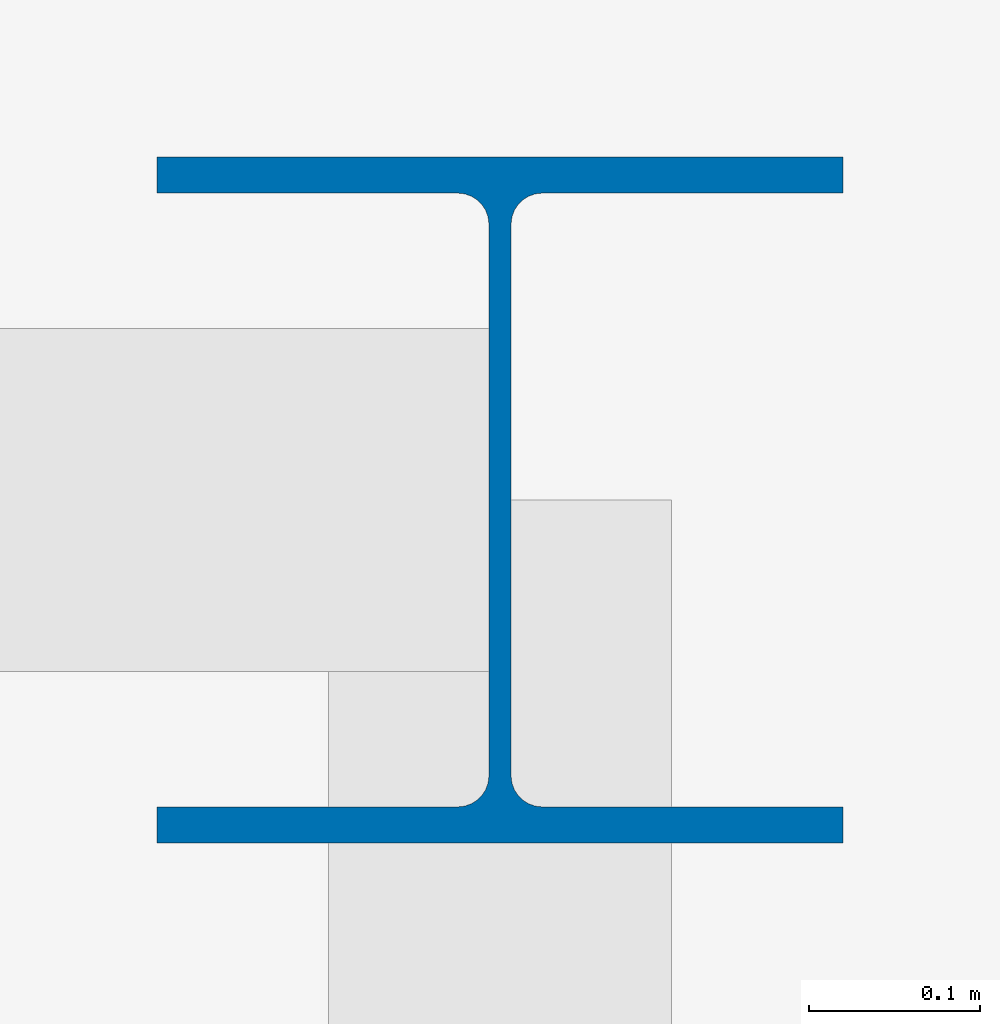
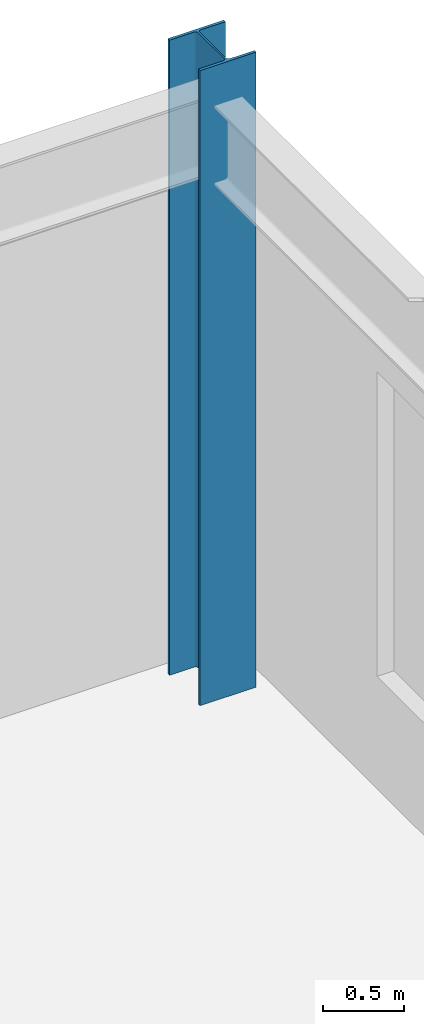
# One storey, part 4 of 26: 1 column.
"""IFC4 building model written with IfcOpenShell, lengths in metres."""

import ifcopenshell
import ifcopenshell.guid

model = None  # the IFC model being written
_history = None  # IfcOwnerHistory: only IFC2X3 demands one
_inside = {}  # id of a spatial element -> (the spatial element, [elements in it])
_under = {}  # id of a project, library or spatial element -> (it, [spatial elements below it])
_declared = {}  # id of a project -> (the project, [libraries it declares])
_typed = {}  # id of a type object -> (the type object, [elements of that type])
_made_of = {}  # id of a material, layer set ... -> (it, [elements and type objects made of it])


def new_model(schema):
    """Start an empty IFC model of exactly this schema.

    Asked for "IFC4X3", IfcOpenShell would pick the latest addendum, in which some entities
    have other attributes; the version numbers below select the first issue.
    IFC2X3 requires an IfcOwnerHistory on every rooted entity: one is made here for all.
    """
    global model, _history
    if schema == "IFC4X3":
        model = ifcopenshell.file(schema_version=(4, 3, 0, 0))
    else:
        model = ifcopenshell.file(schema=schema)
    _inside.clear()
    _under.clear()
    _declared.clear()
    _typed.clear()
    _made_of.clear()
    _history = None
    if model.schema == "IFC2X3":
        org = make("IfcOrganization", Name="unknown")
        user = make(
            "IfcPersonAndOrganization",
            ThePerson=make("IfcPerson", FamilyName="unknown"),
            TheOrganization=org,
        )
        app = make(
            "IfcApplication",
            ApplicationDeveloper=org,
            Version="unknown",
            ApplicationFullName="unknown",
            ApplicationIdentifier="unknown",
        )
        _history = make(
            "IfcOwnerHistory",
            OwningUser=user,
            OwningApplication=app,
            ChangeAction="ADDED",
            CreationDate=0,
        )
    return model


def make(cls, **values):
    """One entity of the class cls with the attributes given. An attribute that is None is left unset."""
    return model.create_entity(
        cls, **{name: value for name, value in values.items() if value is not None}
    )


def rooted(cls, **values):
    """An entity with a GlobalId (a new one), such as an element, a storey or a relation."""
    return make(cls, GlobalId=ifcopenshell.guid.new(), OwnerHistory=_history, **values)


def si_unit(unit_type, name, prefix=None):
    """IfcSIUnit, for example si_unit("LENGTHUNIT", "METRE", prefix="MILLI")."""
    return make("IfcSIUnit", UnitType=unit_type, Prefix=prefix, Name=name)


def assignment(units):
    """IfcUnitAssignment: the units of a project."""
    return None if units is None else make("IfcUnitAssignment", Units=units)


def point(xyz):
    """IfcCartesianPoint."""
    return None if xyz is None else make("IfcCartesianPoint", Coordinates=xyz)


def direction(xyz):
    """IfcDirection."""
    return None if xyz is None else make("IfcDirection", DirectionRatios=xyz)


def frame(location, z_axis=None, x_axis=None):
    """IfcAxis2Placement3D, a coordinate frame: its origin and axes. An axis left out is left unset."""
    return make(
        "IfcAxis2Placement3D",
        Location=point(location),
        Axis=direction(z_axis),
        RefDirection=direction(x_axis),
    )


def frame_2d(location, x_axis=None):
    """IfcAxis2Placement2D, a coordinate frame in the plane: its origin and x axis."""
    return make(
        "IfcAxis2Placement2D", Location=point(location), RefDirection=direction(x_axis)
    )


def origin():
    """The frame at (0, 0, 0) with its axes left unset."""
    return frame((0.0, 0.0, 0.0))


def origin_2d():
    """The frame at (0, 0) in the plane with its x axis left unset."""
    return frame_2d((0.0, 0.0))


def place(relative_to, where):
    """IfcLocalPlacement: puts the frame where relative to a parent placement (None: the world)."""
    return make(
        "IfcLocalPlacement", PlacementRelTo=relative_to, RelativePlacement=where
    )


def context(
    kind, dimensions, precision=None, world=None, true_north=None, identifier=None
):
    """IfcGeometricRepresentationContext, for example the 3D "Model" context."""
    return make(
        "IfcGeometricRepresentationContext",
        ContextIdentifier=identifier,
        ContextType=kind,
        CoordinateSpaceDimension=dimensions,
        Precision=precision,
        WorldCoordinateSystem=world,
        TrueNorth=true_north,
    )


def subcontext(parent, identifier, kind, view, scale=None):
    """IfcGeometricRepresentationSubContext, for example "Body" below "Model"."""
    return make(
        "IfcGeometricRepresentationSubContext",
        ContextIdentifier=identifier,
        ContextType=kind,
        ParentContext=parent,
        TargetScale=scale,
        TargetView=view,
    )


def project(units=None, contexts=None):
    """IfcProject with its units and contexts."""
    return rooted(
        "IfcProject",
        Name="project",
        RepresentationContexts=contexts,
        UnitsInContext=assignment(units),
    )


def spatial(cls, under=None, at=None, **own):
    """A site, building, storey or space (cls), placed at a placement, below another one or the project."""
    s = rooted(cls, ObjectPlacement=at, **own)
    if under is not None:
        _under.setdefault(under.id(), (under, []))[1].append(s)
    return s


def profile(cls, at=None, kind="AREA", **sizes):
    """A parametric profile (cls). Its sizes go by their IFC names, for example OverallWidth=200.0."""
    return make(cls, ProfileType=kind, Position=at, **sizes)


def i_section(**sizes):
    """IfcIShapeProfileDef."""
    return profile("IfcIShapeProfileDef", **sizes)


def extrude(swept, where, along, depth):
    """IfcExtrudedAreaSolid: the profile swept, set in the frame where, extruded along a direction by depth."""
    return make(
        "IfcExtrudedAreaSolid",
        SweptArea=swept,
        Position=where,
        ExtrudedDirection=direction(along),
        Depth=depth,
    )


def shape(context_of_items, identifier, shape_type, items):
    """IfcShapeRepresentation: the items that make up one representation, for example the "Body"."""
    return make(
        "IfcShapeRepresentation",
        ContextOfItems=context_of_items,
        RepresentationIdentifier=identifier,
        RepresentationType=shape_type,
        Items=items,
    )


def material(Name=None, Category=None):
    """IfcMaterial."""
    return make("IfcMaterial", Name=Name, Category=Category)


def material_profile(
    of_material, cross_section, Name=None, Category=None, Priority=None
):
    """IfcMaterialProfile: a cross section and its material."""
    return make(
        "IfcMaterialProfile",
        Name=Name,
        Material=of_material,
        Profile=cross_section,
        Priority=Priority,
        Category=Category,
    )


def profile_set(profiles, Name=None, composite=None):
    """IfcMaterialProfileSet."""
    return make(
        "IfcMaterialProfileSet",
        Name=Name,
        MaterialProfiles=profiles,
        CompositeProfile=composite,
    )


def made_of(thing, what):
    """Note that an element or type object is made of a material, layer set ...; save() writes the relation."""
    if what is not None:
        _made_of.setdefault(what.id(), (what, []))[1].append(thing)
    return thing


def type_object(cls, material=None, **own):
    """A type object (cls), such as IfcWallType, which elements share."""
    return made_of(rooted(cls, **own), material)


def element(
    cls,
    number,
    at=None,
    inside=None,
    cuts=None,
    type_object=None,
    material=None,
    context=None,
    identifier="Body",
    shape_type=None,
    held_by="IfcProductDefinitionShape",
    body=None,
    shapes=None,
    **own,
):
    """One element of the class cls, such as IfcWall. Its Tag is "e" and its number.

    at: its placement. inside: the storey or other place that contains it. cuts: it is an
    opening in that element (IfcRelVoidsElement). A single representation is given by context,
    identifier, shape_type and body (its items); several are given by shapes. held_by: the class
    of the entity that holds the representations. save() writes the other relations.
    """
    e = rooted(cls, Tag="e%d" % number, ObjectPlacement=at, **own)
    if body is not None:
        shapes = [shape(context, identifier, shape_type, body)]
    if shapes is not None:
        e.Representation = make(held_by, Representations=shapes)
    if inside is not None:
        _inside.setdefault(inside.id(), (inside, []))[1].append(e)
    if cuts is not None:
        rooted(
            "IfcRelVoidsElement", RelatingBuildingElement=cuts, RelatedOpeningElement=e
        )
    if type_object is not None:
        _typed.setdefault(type_object.id(), (type_object, []))[1].append(e)
    return made_of(e, material)


def aggregate(whole, parts):
    """IfcRelAggregates: a whole, such as a stair, and the parts it consists of."""
    return rooted("IfcRelAggregates", RelatingObject=whole, RelatedObjects=parts)


def save(model, path):
    """Write the relations noted so far, then the file.

    IfcRelAggregates (storeys below a building ...), IfcRelContainedInSpatialStructure (elements
    in a storey), IfcRelDefinesByType, IfcRelAssociatesMaterial and IfcRelDeclares: one each for
    every whole, place, type object, material and project.
    """
    for whole, parts in _under.values():
        aggregate(whole, parts)
    for where, things in _inside.values():
        rooted(
            "IfcRelContainedInSpatialStructure",
            RelatedElements=things,
            RelatingStructure=where,
        )
    for kind, things in _typed.values():
        rooted("IfcRelDefinesByType", RelatedObjects=things, RelatingType=kind)
    for what, things in _made_of.values():
        rooted("IfcRelAssociatesMaterial", RelatedObjects=things, RelatingMaterial=what)
    for by, libraries in _declared.values():
        rooted("IfcRelDeclares", RelatingContext=by, RelatedDefinitions=libraries)
    model.write(path)


model = new_model("IFC4")

# Units and contexts
model_context = context("Model", 3, precision=1e-05, world=origin(), true_north=direction((0.0, 1.0)))
body_context = subcontext(model_context, "Body", "Model", "MODEL_VIEW")
ifc_project = project(units=[si_unit("LENGTHUNIT", "METRE"), si_unit("AREAUNIT", "SQUARE_METRE"), si_unit("VOLUMEUNIT", "CUBIC_METRE"), si_unit("PLANEANGLEUNIT", "RADIAN"), si_unit("MASSUNIT", "GRAM", prefix="KILO")], contexts=[model_context])

# Site, building, storey
site_placement = place(None, origin())
site = spatial("IfcSite", under=ifc_project, at=site_placement, CompositionType="ELEMENT")
building_placement = place(site_placement, origin())
building = spatial("IfcBuilding", under=site, at=building_placement, Name="Veldorina Hangang Commons", CompositionType="ELEMENT")
storey_placement = place(building_placement, frame((0.0, 0.0, 5.199951171875)))
storey = spatial("IfcBuildingStorey", under=building, at=storey_placement, Name="L01", CompositionType="ELEMENT", Elevation=5.199951171875)

# Column
ifc_material = material(Name="Steel SM460-TMC", Category="steel")
ifc_material_profile = material_profile(ifc_material, i_section(OverallWidth=0.39990234375, OverallDepth=0.39990234375, WebThickness=0.012939453125, FlangeThickness=0.02099609375, FilletRadius=0.01806640625, at=origin_2d()), Name="H-400x400x13x21")
ifc_profile_set = profile_set([ifc_material_profile], Name="Steel SM460-TMC")
column_type = type_object("IfcColumnType", Name="COL-H400", PredefinedType="COLUMN", material=ifc_profile_set)
column_placement = place(storey_placement, frame((59.550048828125, 44.550048828125, 0.0), z_axis=(0.0, 0.0, 1.0), x_axis=(1.0, 0.0, 0.0)))
element("IfcColumn", 1, at=column_placement, inside=storey, type_object=column_type, Name="L01 structural column N7", PredefinedType="COLUMN", context=body_context, shape_type="SweptSolid", body=[
    extrude(i_section(OverallWidth=0.39990234375, OverallDepth=0.39990234375, WebThickness=0.012939453125, FlangeThickness=0.02099609375, FilletRadius=0.01806640625, at=origin_2d()), origin(), (0.0, 0.0, 1.0), 4.800048828125),
])

save(model, "model.ifc")
